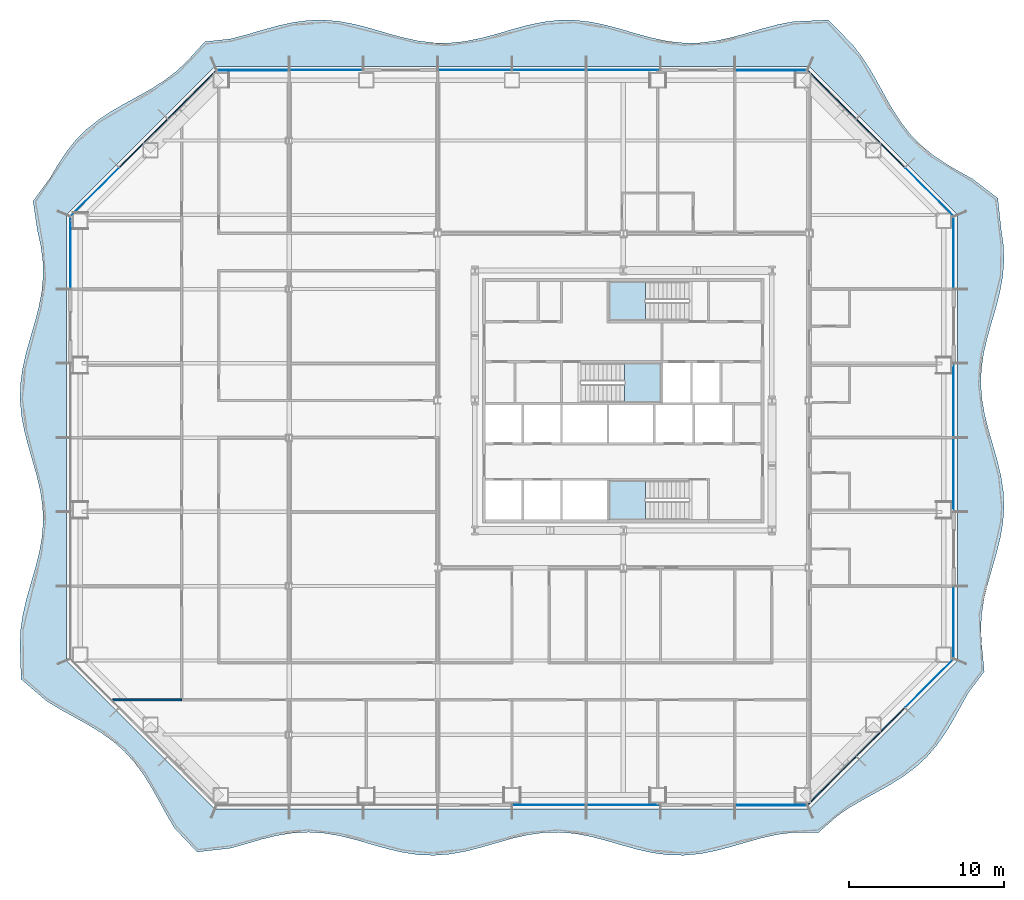
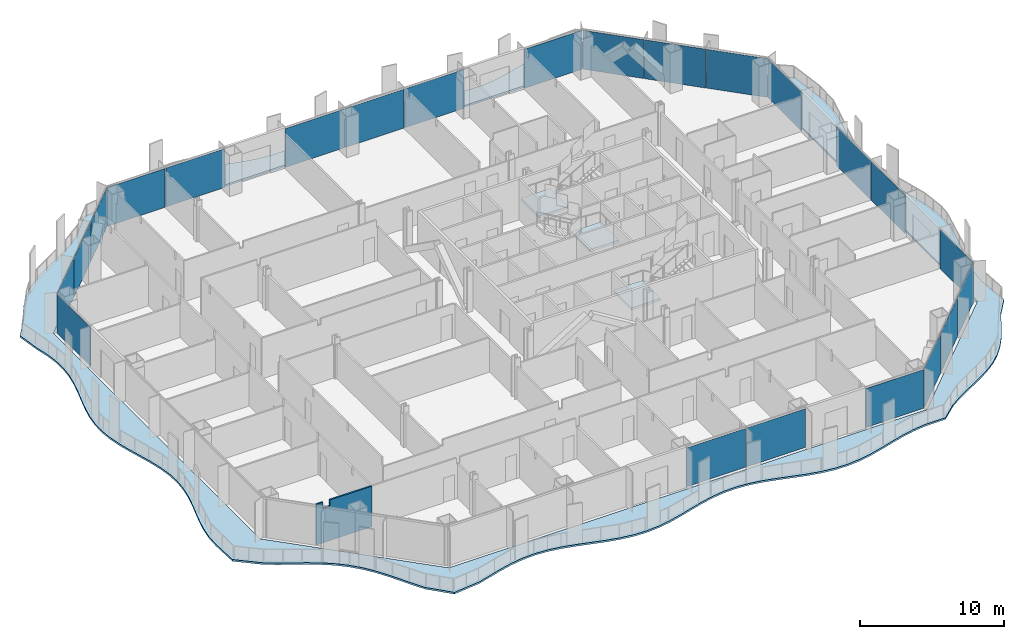
# One storey, part 5 of 21: 23 plates, 4 slabs, 1 wall, 10 elements without a shape of their own.
"""IFC4 building model written with IfcOpenShell, lengths in metres."""

from ifc_helpers import new_model, si_unit, direction, frame, origin, origin_2d, place, context, subcontext, project, spatial, polyline, rectangle, outline, extrude, material, layer, layer_set, type_object, element, aggregate, save


model = new_model("IFC4")

# Units and contexts
model_context = context("Model", 3, precision=1e-05, world=origin(), true_north=direction((0.0, 1.0)))
body_context = subcontext(model_context, "Body", "Model", "MODEL_VIEW")
ifc_project = project(units=[si_unit("LENGTHUNIT", "METRE"), si_unit("AREAUNIT", "SQUARE_METRE"), si_unit("VOLUMEUNIT", "CUBIC_METRE"), si_unit("PLANEANGLEUNIT", "RADIAN"), si_unit("MASSUNIT", "GRAM", prefix="KILO")], contexts=[model_context])

# Site, building, storey
site_placement = place(None, origin())
site = spatial("IfcSite", under=ifc_project, at=site_placement, CompositionType="ELEMENT")
building_placement = place(site_placement, origin())
building = spatial("IfcBuilding", under=site, at=building_placement, Name="Cairn Pilgrim Tower", CompositionType="ELEMENT")
storey_placement = place(building_placement, frame((0.0, 0.0, 54.60009765625)))
storey = spatial("IfcBuildingStorey", under=building, at=storey_placement, Name="L11", CompositionType="ELEMENT", Elevation=54.60009765625)

# Slab
ifc_material_1 = material(Name="Concrete C35/45", Category="concrete")
ifc_layer_1 = layer(ifc_material_1, 0.14990234375)
ifc_layer_set_1 = layer_set([ifc_layer_1], Name="BALCONY SLAB 150 CONCRETE C35/45")
slab_type_1 = type_object("IfcSlabType", Name="BALCONY SLAB 150 CONCRETE C35/45", PredefinedType="FLOOR", material=ifc_layer_set_1)
slab_1_placement = place(storey_placement, frame((0.0, 0.0, -0.150146484375)))
element("IfcSlab", 1, at=slab_1_placement, inside=storey, type_object=slab_type_1, Name="Balcony slab BS-1", PredefinedType="FLOOR", context=body_context, shape_type="SweptSolid", body=[
    extrude(outline(polyline([(-21.810791015625, -25.239501953125), (-20.3515625, -26.7802734375), (-18.189453125, -26.5341796875), (-17.178955078125, -26.243896484375), (-16.16845703125, -25.954345703125), (-15.157958984375, -25.7109375), (-14.1474609375, -25.55126953125), (-13.136962890625, -25.500244140625), (-12.126220703125, -25.565673828125), (-11.11572265625, -25.737548828125), (-10.105224609375, -25.989013671875), (-9.0947265625, -26.281005859375), (-8.084228515625, -26.568115234375), (-7.07373046875, -26.805908203125), (-6.063232421875, -26.957275390625), (-5.052734375, -26.998779296875), (-4.0419921875, -26.923828125), (-3.031494140625, -26.744140625), (-2.02099609375, -26.487548828125), (-1.010498046875, -26.1943359375), (0.0, -25.909423828125), (1.010498046875, -25.677734375), (2.02099609375, -25.534912109375), (3.031494140625, -25.503173828125), (4.0419921875, -25.58740234375), (5.052734375, -25.77490234375), (6.063232421875, -26.035888671875), (7.07373046875, -26.33056640625), (8.084228515625, -26.6123046875), (9.0947265625, -26.838134765625), (10.105224609375, -26.97216796875), (11.11572265625, -26.994140625), (12.126220703125, -26.900634765625), (13.136962890625, -26.705810546875), (14.1474609375, -26.440185546875), (15.157958984375, -26.14501953125), (16.16845703125, -25.865966796875), (17.178955078125, -25.64697265625), (18.189453125, -25.521484375), (19.8251953125, -25.50927734375), (21.021240234375, -24.449951171875), (21.840576171875, -23.897705078125), (22.7060546875, -23.391845703125), (23.591796875, -22.906005859375), (24.46923828125, -22.412109375), (25.31103515625, -21.882568359375), (26.094482421875, -21.294677734375), (26.805908203125, -20.634521484375), (27.441650390625, -19.898681640625), (28.008544921875, -19.09423828125), (28.523681640625, -18.238037109375), (29.011962890625, -17.354736328125), (29.5009765625, -16.472412109375), (30.524658203125, -15.1142578125), (30.360595703125, -13.406982421875), (30.300048828125, -12.413818359375), (30.352294921875, -11.420654296875), (30.509033203125, -10.427490234375), (30.747314453125, -9.4345703125), (31.03076171875, -8.44140625), (31.3173828125, -7.4482421875), (31.563720703125, -6.455078125), (31.73291015625, -5.462158203125), (31.799560546875, -4.468994140625), (31.753662109375, -3.475830078125), (31.60205078125, -2.482666015625), (31.367431640625, -1.48974609375), (31.08544921875, -0.49658203125), (30.7978515625, 0.49658203125), (30.54833984375, 1.48974609375), (30.3740234375, 2.482666015625), (30.30126953125, 3.475830078125), (30.341064453125, 4.468994140625), (30.487060546875, 5.462158203125), (30.7177734375, 6.455078125), (30.99853515625, 7.4482421875), (31.286865234375, 8.44140625), (31.53955078125, 9.4345703125), (31.71875, 10.427490234375), (31.797607421875, 11.420654296875), (31.76416015625, 12.413818359375), (31.62353515625, 13.406982421875), (31.396728515625, 15.4755859375), (29.758056640625, 16.7294921875), (28.872314453125, 17.21533203125), (28.0078125, 17.72216796875), (27.18994140625, 18.275634765625), (26.437744140625, 18.89501953125), (25.7607421875, 19.58935546875), (25.15771484375, 20.357666015625), (24.61669921875, 21.18798828125), (24.116943359375, 22.059814453125), (23.632080078125, 22.9462890625), (23.133056640625, 23.818603515625), (22.593017578125, 24.650146484375), (21.991455078125, 25.420166015625), (20.439697265625, 26.992919921875), (18.189453125, 26.89501953125), (17.178955078125, 26.697021484375), (16.16845703125, 26.429443359375), (15.157958984375, 26.134033203125), (14.1474609375, 25.856689453125), (13.136962890625, 25.640380859375), (12.126220703125, 25.51904296875), (11.11572265625, 25.510986328125), (10.105224609375, 25.617919921875), (9.0947265625, 25.8232421875), (8.084228515625, 26.0947265625), (7.07373046875, 26.390380859375), (6.063232421875, 26.6640625), (5.052734375, 26.87353515625), (4.0419921875, 26.986083984375), (3.031494140625, 26.984375), (2.02099609375, 26.868408203125), (1.010498046875, 26.65625), (0.0, 26.381103515625), (-1.010498046875, 26.08544921875), (-2.02099609375, 25.8154296875), (-3.031494140625, 25.613037109375), (-4.0419921875, 25.509521484375), (-5.052734375, 25.52099609375), (-6.063232421875, 25.64599609375), (-7.07373046875, 25.86474609375), (-8.084228515625, 26.1435546875), (-9.0947265625, 26.438720703125), (-10.105224609375, 26.70458984375), (-11.11572265625, 26.89990234375), (-12.126220703125, 26.994140625), (-13.136962890625, 26.97265625), (-14.1474609375, 26.8388671875), (-15.157958984375, 26.61376953125), (-16.16845703125, 26.33203125), (-17.178955078125, 26.037353515625), (-18.189453125, 25.77587890625), (-19.85791015625, 25.588134765625), (-20.949462890625, 24.378173828125), (-21.651611328125, 23.708740234375), (-22.4267578125, 23.112548828125), (-23.262451171875, 22.57666015625), (-24.136962890625, 22.079833984375), (-25.023193359375, 21.5947265625), (-25.892822265625, 21.0927734375), (-26.718994140625, 20.54736328125), (-27.481689453125, 19.93896484375), (-28.170166015625, 19.255859375), (-28.783935546875, 18.498046875), (-29.3330078125, 17.67578125), (-29.837158203125, 16.80859375), (-30.953369140625, 15.2919921875), (-30.677734375, 13.406982421875), (-30.458251953125, 12.413818359375), (-30.327392578125, 11.420654296875), (-30.30517578125, 10.427490234375), (-30.394775390625, 9.4345703125), (-30.5830078125, 8.44140625), (-30.841064453125, 7.4482421875), (-31.130615234375, 6.455078125), (-31.407958984375, 5.462158203125), (-31.631591796875, 4.468994140625), (-31.76806640625, 3.475830078125), (-31.79638671875, 2.482666015625), (-31.712890625, 1.48974609375), (-31.52978515625, 0.49658203125), (-31.2744140625, -0.49658203125), (-30.985595703125, -1.48974609375), (-30.706298828125, -2.482666015625), (-30.478759765625, -3.475830078125), (-30.3369140625, -4.468994140625), (-30.302001953125, -5.462158203125), (-30.379638671875, -6.455078125), (-30.557861328125, -7.4482421875), (-30.81005859375, -8.44140625), (-31.09814453125, -9.4345703125), (-31.379150390625, -10.427490234375), (-31.610595703125, -11.420654296875), (-31.758056640625, -12.413818359375), (-31.798828125, -13.406982421875), (-31.7275390625, -15.612548828125), (-30.0654296875, -17.036865234375), (-29.209228515625, -17.552001953125), (-28.325927734375, -18.0400390625), (-27.443603515625, -18.529296875), (-26.590576171875, -19.0478515625), (-25.791015625, -19.61962890625), (-25.06103515625, -20.260986328125), (-24.40673828125, -20.978271484375), (-23.82421875, -21.76708984375), (-23.298095703125, -22.6123046875), (-22.805908203125, -23.491455078125), (-22.319580078125, -24.376708984375), (-21.810791015625, -25.239501953125)]), holes=[polyline([(19.199951171875, -24.0), (-19.199951171875, -24.0), (-28.800048828125, -14.39990234375), (-28.800048828125, 14.39990234375), (-19.199951171875, 24.0), (19.199951171875, 24.0), (28.800048828125, 14.39990234375), (28.800048828125, -14.39990234375), (19.199951171875, -24.0)])]), origin(), (0.0, 0.0, 1.0), 0.150146484375),
])

# Curtain wall, plate
ifc_material_2 = material(Name="Aluminium alloy 6063-T6 bronze anodised with Bronze tinted laminated low-E glass 8+16+8.8", Category="aluminium")
curtain_wall_type_1 = type_object("IfcCurtainWallType", Name="CHAMFER CORNER CURTAIN WALL", PredefinedType="NOTDEFINED", material=ifc_material_2)
curtain_wall_1_placement = place(storey_placement, origin())
curtain_wall_1 = element("IfcCurtainWall", 2, at=curtain_wall_1_placement, inside=storey, type_object=curtain_wall_type_1, Name="Chamfer Corner Curtain Wall SE", PredefinedType="NOTDEFINED")
ifc_material_3 = material(Name="Bronze anodised aluminium spandrel panel with mineral wool insulation", Category="aluminium")
ifc_layer_2 = layer(ifc_material_3, 0.06005859375)
ifc_layer_set_2 = layer_set([ifc_layer_2], Name="SPANDREL PANEL 4386x3300")
plate_type_1 = type_object("IfcPlateType", Name="SPANDREL PANEL 4386x3300", PredefinedType="CURTAIN_PANEL", material=ifc_layer_set_2)
plate_1_placement = place(storey_placement, frame((20.675537109375, -22.1708984375, 0.0), z_axis=(0.0, 0.0, 1.0), x_axis=(0.707106781187, 0.707106781187, 0.0)))
plate_1 = element("IfcPlate", 3, at=plate_1_placement, type_object=plate_type_1, Name="Spandrel Panel SE1-1", PredefinedType="CURTAIN_PANEL", context=body_context, shape_type="SweptSolid", body=[
    extrude(rectangle(XDim=4.386474609375, YDim=0.06005859375, at=origin_2d()), origin(), (0.0, 0.0, 1.0), 3.300048828125),
])

curtain_wall_2_placement = place(storey_placement, origin())
curtain_wall_2 = element("IfcCurtainWall", 4, at=curtain_wall_2_placement, inside=storey, type_object=curtain_wall_type_1, Name="Chamfer Corner Curtain Wall NE", PredefinedType="NOTDEFINED")
plate_2_placement = place(storey_placement, frame((20.675537109375, 22.1708984375, 0.0), z_axis=(0.0, 0.0, 1.0), x_axis=(-0.707106781187, 0.707106781187, 0.0)))
plate_2 = element("IfcPlate", 5, at=plate_2_placement, type_object=plate_type_1, Name="Spandrel Panel NE3-1", PredefinedType="CURTAIN_PANEL", context=body_context, shape_type="SweptSolid", body=[
    extrude(rectangle(XDim=4.386474609375, YDim=0.06005859375, at=origin_2d()), origin(), (0.0, 0.0, 1.0), 3.300048828125),
])

curtain_wall_3_placement = place(storey_placement, origin())
curtain_wall_3 = element("IfcCurtainWall", 6, at=curtain_wall_3_placement, inside=storey, type_object=curtain_wall_type_1, Name="Chamfer Corner Curtain Wall NW", PredefinedType="NOTDEFINED")
plate_3_placement = place(storey_placement, frame((-20.675537109375, 22.1708984375, 0.0), z_axis=(0.0, 0.0, 1.0), x_axis=(-0.707106781187, -0.707106781187, 0.0)))
plate_3 = element("IfcPlate", 7, at=plate_3_placement, type_object=plate_type_1, Name="Spandrel Panel NW1-1", PredefinedType="CURTAIN_PANEL", context=body_context, shape_type="SweptSolid", body=[
    extrude(rectangle(XDim=4.386474609375, YDim=0.06005859375, at=origin_2d()), origin(), (0.0, 0.0, 1.0), 3.300048828125),
])

# Plate
ifc_layer_3 = layer(ifc_material_3, 0.06005859375)
ifc_layer_set_3 = layer_set([ifc_layer_3], Name="SPANDREL PANEL 4396x3300")
plate_type_2 = type_object("IfcPlateType", Name="SPANDREL PANEL 4396x3300", PredefinedType="CURTAIN_PANEL", material=ifc_layer_set_3)
plate_4_placement = place(storey_placement, frame((23.8232421875, -19.023193359375, 0.0), z_axis=(0.0, 0.0, 1.0), x_axis=(0.707106781187, 0.707106781187, 0.0)))
plate_4 = element("IfcPlate", 8, at=plate_4_placement, type_object=plate_type_2, Name="Spandrel Panel SE2-1", PredefinedType="CURTAIN_PANEL", context=body_context, shape_type="SweptSolid", body=[
    extrude(rectangle(XDim=4.396484375, YDim=0.06005859375, at=origin_2d()), origin(), (0.0, 0.0, 1.0), 3.300048828125),
])

plate_5_placement = place(storey_placement, frame((23.8232421875, 19.023193359375, 0.0), z_axis=(0.0, 0.0, 1.0), x_axis=(-0.707106781187, 0.707106781187, 0.0)))
plate_5 = element("IfcPlate", 9, at=plate_5_placement, type_object=plate_type_2, Name="Spandrel Panel NE2-1", PredefinedType="CURTAIN_PANEL", context=body_context, shape_type="SweptSolid", body=[
    extrude(rectangle(XDim=4.396484375, YDim=0.06005859375, at=origin_2d()), origin(), (0.0, 0.0, 1.0), 3.300048828125),
])

plate_6_placement = place(storey_placement, frame((-23.8232421875, 19.023193359375, 0.0), z_axis=(0.0, 0.0, 1.0), x_axis=(-0.707106781187, -0.707106781187, 0.0)))
plate_6 = element("IfcPlate", 10, at=plate_6_placement, type_object=plate_type_2, Name="Spandrel Panel NW2-1", PredefinedType="CURTAIN_PANEL", context=body_context, shape_type="SweptSolid", body=[
    extrude(rectangle(XDim=4.396484375, YDim=0.06005859375, at=origin_2d()), origin(), (0.0, 0.0, 1.0), 3.300048828125),
])

# Curtain wall, plate
curtain_wall_type_2 = type_object("IfcCurtainWallType", Name="TOWER STICK CURTAIN WALL NS", PredefinedType="NOTDEFINED", material=ifc_material_2)
curtain_wall_4_placement = place(storey_placement, origin())
curtain_wall_4 = element("IfcCurtainWall", 11, at=curtain_wall_4_placement, inside=storey, type_object=curtain_wall_type_2, Name="Tower Stick Curtain Wall Ns S", PredefinedType="NOTDEFINED")
ifc_layer_4 = layer(ifc_material_3, 0.06005859375)
ifc_layer_set_4 = layer_set([ifc_layer_4], Name="SPANDREL PANEL 4626x3300")
plate_type_3 = type_object("IfcPlateType", Name="SPANDREL PANEL 4626x3300", PredefinedType="CURTAIN_PANEL", material=ifc_layer_set_4)
plate_7_placement = place(storey_placement, frame((16.7431640625, -23.75, 0.0), z_axis=(0.0, 0.0, 1.0), x_axis=(1.0, 0.0, 0.0)))
plate_7 = element("IfcPlate", 12, at=plate_7_placement, type_object=plate_type_3, Name="Spandrel Panel S8-1", PredefinedType="CURTAIN_PANEL", context=body_context, shape_type="SweptSolid", body=[
    extrude(rectangle(XDim=4.62646484375, YDim=0.06005859375, at=origin_2d()), origin(), (0.0, 0.0, 1.0), 3.300048828125),
])

# Curtain wall, plates
curtain_wall_5_placement = place(storey_placement, origin())
curtain_wall_5 = element("IfcCurtainWall", 13, at=curtain_wall_5_placement, inside=storey, type_object=curtain_wall_type_2, Name="Tower Stick Curtain Wall Ns N", PredefinedType="NOTDEFINED")
plate_8_placement = place(storey_placement, frame((16.7431640625, 23.75, 0.0), z_axis=(0.0, 0.0, 1.0), x_axis=(-1.0, 0.0, 0.0)))
plate_8 = element("IfcPlate", 14, at=plate_8_placement, type_object=plate_type_3, Name="Spandrel Panel N1-1", PredefinedType="CURTAIN_PANEL", context=body_context, shape_type="SweptSolid", body=[
    extrude(rectangle(XDim=4.62646484375, YDim=0.06005859375, at=origin_2d()), origin(), (0.0, 0.0, 1.0), 3.300048828125),
])
plate_9_placement = place(storey_placement, frame((-16.7431640625, 23.75, 0.0), z_axis=(0.0, 0.0, 1.0), x_axis=(-1.0, 0.0, 0.0)))
plate_9 = element("IfcPlate", 15, at=plate_9_placement, type_object=plate_type_3, Name="Spandrel Panel N8-1", PredefinedType="CURTAIN_PANEL", context=body_context, shape_type="SweptSolid", body=[
    extrude(rectangle(XDim=4.62646484375, YDim=0.06005859375, at=origin_2d()), origin(), (0.0, 0.0, 1.0), 3.300048828125),
])

# Stair, slab
ifc_material_4 = material(Name="Concrete C32/40", Category="concrete")
stair_type = type_object("IfcStairType", Name="EXIT STAIR 1200", PredefinedType="HALF_TURN_STAIR", material=ifc_material_4)
stair_1_placement = place(storey_placement, origin())
stair_1 = element("IfcStair", 16, at=stair_1_placement, inside=storey, type_object=stair_type, Name="L11 Exit Stair A", PredefinedType="HALF_TURN_STAIR")
ifc_layer_5 = layer(ifc_material_4, 0.199951171875)
ifc_layer_set_5 = layer_set([ifc_layer_5], Name="STAIR LANDING 200")
slab_type_2 = type_object("IfcSlabType", Name="STAIR LANDING 200", PredefinedType="LANDING", material=ifc_layer_set_5)
slab_2_placement = place(storey_placement, frame((0.0, 0.0, 1.599853515625)))
slab_2 = element("IfcSlab", 17, at=slab_2_placement, type_object=slab_type_2, Name="ST-A landing 1", PredefinedType="LANDING", context=body_context, shape_type="SweptSolid", body=[
    extrude(outline(polyline([(8.625, -2.77490234375), (6.27490234375, -2.77490234375), (6.27490234375, -5.300048828125), (8.625, -5.300048828125), (8.625, -2.77490234375)])), origin(), (0.0, 0.0, 1.0), 0.199951171875),
])
aggregate(stair_1, [slab_2])

stair_2_placement = place(storey_placement, origin())
stair_2 = element("IfcStair", 18, at=stair_2_placement, inside=storey, type_object=stair_type, Name="L11 Exit Stair B", PredefinedType="HALF_TURN_STAIR")
slab_3_placement = place(storey_placement, frame((0.0, 0.0, 1.599853515625)))
slab_3 = element("IfcSlab", 19, at=slab_3_placement, type_object=slab_type_2, Name="ST-B landing 1", PredefinedType="LANDING", context=body_context, shape_type="SweptSolid", body=[
    extrude(outline(polyline([(7.27490234375, 2.27490234375), (9.625, 2.27490234375), (9.625, 4.824951171875), (7.27490234375, 4.824951171875), (7.27490234375, 2.27490234375)])), origin(), (0.0, 0.0, 1.0), 0.199951171875),
])
aggregate(stair_2, [slab_3])

stair_3_placement = place(storey_placement, origin())
stair_3 = element("IfcStair", 20, at=stair_3_placement, inside=storey, type_object=stair_type, Name="L11 Exit Stair C", PredefinedType="HALF_TURN_STAIR")
slab_4_placement = place(storey_placement, frame((0.0, 0.0, 1.599853515625)))
slab_4 = element("IfcSlab", 21, at=slab_4_placement, type_object=slab_type_2, Name="ST-C landing 1", PredefinedType="LANDING", context=body_context, shape_type="SweptSolid", body=[
    extrude(outline(polyline([(8.625, 10.10009765625), (6.27490234375, 10.10009765625), (6.27490234375, 7.574951171875), (8.625, 7.574951171875), (8.625, 10.10009765625)])), origin(), (0.0, 0.0, 1.0), 0.199951171875),
])
aggregate(stair_3, [slab_4])

# Plate
ifc_material_5 = material(Name="Bronze tinted laminated low-E glass 8+16+8.8", Category="glass")
ifc_layer_6 = layer(ifc_material_5, 0.033935546875)
ifc_layer_set_6 = layer_set([ifc_layer_6], Name="VISION GLAZING 4386x3300")
plate_type_4 = type_object("IfcPlateType", Name="VISION GLAZING 4386x3300", PredefinedType="CURTAIN_PANEL", material=ifc_layer_set_6)
plate_10_placement = place(storey_placement, frame((26.970947265625, -15.87548828125, 0.0), z_axis=(0.0, 0.0, 1.0), x_axis=(0.707106781187, 0.707106781187, 0.0)))
plate_10 = element("IfcPlate", 22, at=plate_10_placement, type_object=plate_type_4, Name="Vision Glazing SE3-1", PredefinedType="CURTAIN_PANEL", context=body_context, shape_type="SweptSolid", body=[
    extrude(rectangle(XDim=4.386474609375, YDim=0.033935546875, at=origin_2d()), origin(), (0.0, 0.0, 1.0), 3.300048828125),
])

aggregate(curtain_wall_1, [plate_1, plate_4, plate_10])

plate_11_placement = place(storey_placement, frame((26.970947265625, 15.87548828125, 0.0), z_axis=(0.0, 0.0, 1.0), x_axis=(-0.707106781187, 0.707106781187, 0.0)))
plate_11 = element("IfcPlate", 23, at=plate_11_placement, type_object=plate_type_4, Name="Vision Glazing NE1-1", PredefinedType="CURTAIN_PANEL", context=body_context, shape_type="SweptSolid", body=[
    extrude(rectangle(XDim=4.386474609375, YDim=0.033935546875, at=origin_2d()), origin(), (0.0, 0.0, 1.0), 3.300048828125),
])

aggregate(curtain_wall_2, [plate_11, plate_5, plate_2])

plate_12_placement = place(storey_placement, frame((-26.970947265625, 15.87548828125, 0.0), z_axis=(0.0, 0.0, 1.0), x_axis=(-0.707106781187, -0.707106781187, 0.0)))
plate_12 = element("IfcPlate", 24, at=plate_12_placement, type_object=plate_type_4, Name="Vision Glazing NW3-1", PredefinedType="CURTAIN_PANEL", context=body_context, shape_type="SweptSolid", body=[
    extrude(rectangle(XDim=4.386474609375, YDim=0.033935546875, at=origin_2d()), origin(), (0.0, 0.0, 1.0), 3.300048828125),
])

aggregate(curtain_wall_3, [plate_3, plate_6, plate_12])

# Curtain wall, plates
curtain_wall_type_3 = type_object("IfcCurtainWallType", Name="TOWER STICK CURTAIN WALL EW", PredefinedType="NOTDEFINED", material=ifc_material_2)
curtain_wall_6_placement = place(storey_placement, origin())
curtain_wall_6 = element("IfcCurtainWall", 25, at=curtain_wall_6_placement, inside=storey, type_object=curtain_wall_type_3, Name="Tower Stick Curtain Wall Ew E", PredefinedType="NOTDEFINED")
ifc_layer_7 = layer(ifc_material_5, 0.033935546875)
ifc_layer_set_7 = layer_set([ifc_layer_7], Name="VISION GLAZING 4626x3300")
plate_type_5 = type_object("IfcPlateType", Name="VISION GLAZING 4626x3300", PredefinedType="CURTAIN_PANEL", material=ifc_layer_set_7)
plate_13_placement = place(storey_placement, frame((28.550048828125, -11.943115234375, 0.0), z_axis=(0.0, 0.0, 1.0), x_axis=(0.0, 1.0, 0.0)))
plate_13 = element("IfcPlate", 26, at=plate_13_placement, type_object=plate_type_5, Name="Vision Glazing E1-1", PredefinedType="CURTAIN_PANEL", context=body_context, shape_type="SweptSolid", body=[
    extrude(rectangle(XDim=4.62646484375, YDim=0.033935546875, at=origin_2d()), origin(), (0.0, 0.0, 1.0), 3.300048828125),
])
plate_14_placement = place(storey_placement, frame((28.550048828125, 11.943115234375, 0.0), z_axis=(0.0, 0.0, 1.0), x_axis=(0.0, 1.0, 0.0)))
plate_14 = element("IfcPlate", 27, at=plate_14_placement, type_object=plate_type_5, Name="Vision Glazing E6-1", PredefinedType="CURTAIN_PANEL", context=body_context, shape_type="SweptSolid", body=[
    extrude(rectangle(XDim=4.62646484375, YDim=0.033935546875, at=origin_2d()), origin(), (0.0, 0.0, 1.0), 3.300048828125),
])

# Curtain wall, plate
curtain_wall_7_placement = place(storey_placement, origin())
curtain_wall_7 = element("IfcCurtainWall", 28, at=curtain_wall_7_placement, inside=storey, type_object=curtain_wall_type_3, Name="Tower Stick Curtain Wall Ew W", PredefinedType="NOTDEFINED")
plate_15_placement = place(storey_placement, frame((-28.550048828125, 11.943115234375, 0.0), z_axis=(0.0, 0.0, 1.0), x_axis=(0.0, -1.0, 0.0)))
plate_15 = element("IfcPlate", 29, at=plate_15_placement, type_object=plate_type_5, Name="Vision Glazing W1-1", PredefinedType="CURTAIN_PANEL", context=body_context, shape_type="SweptSolid", body=[
    extrude(rectangle(XDim=4.62646484375, YDim=0.033935546875, at=origin_2d()), origin(), (0.0, 0.0, 1.0), 3.300048828125),
])
aggregate(curtain_wall_7, [plate_15])

# Plate
ifc_layer_8 = layer(ifc_material_5, 0.033935546875)
ifc_layer_set_8 = layer_set([ifc_layer_8], Name="VISION GLAZING 4740x3300")
plate_type_6 = type_object("IfcPlateType", Name="VISION GLAZING 4740x3300", PredefinedType="CURTAIN_PANEL", material=ifc_layer_set_8)
plate_16_placement = place(storey_placement, frame((2.39990234375, -23.75, 0.0), z_axis=(0.0, 0.0, 1.0), x_axis=(1.0, 0.0, 0.0)))
plate_16 = element("IfcPlate", 30, at=plate_16_placement, type_object=plate_type_6, Name="Vision Glazing S5-1", PredefinedType="CURTAIN_PANEL", context=body_context, shape_type="SweptSolid", body=[
    extrude(rectangle(XDim=4.739990234375, YDim=0.033935546875, at=origin_2d()), origin(), (0.0, 0.0, 1.0), 3.300048828125),
])

plate_17_placement = place(storey_placement, frame((7.199951171875, -23.75, 0.0), z_axis=(0.0, 0.0, 1.0), x_axis=(1.0, 0.0, 0.0)))
plate_17 = element("IfcPlate", 31, at=plate_17_placement, type_object=plate_type_6, Name="Vision Glazing S6-1", PredefinedType="CURTAIN_PANEL", context=body_context, shape_type="SweptSolid", body=[
    extrude(rectangle(XDim=4.739990234375, YDim=0.033935546875, at=origin_2d()), origin(), (0.0, 0.0, 1.0), 3.300048828125),
])

aggregate(curtain_wall_4, [plate_16, plate_17, plate_7])

plate_18_placement = place(storey_placement, frame((28.550048828125, -2.39990234375, 0.0), z_axis=(0.0, 0.0, 1.0), x_axis=(0.0, 1.0, 0.0)))
plate_18 = element("IfcPlate", 32, at=plate_18_placement, type_object=plate_type_6, Name="Vision Glazing E3-1", PredefinedType="CURTAIN_PANEL", context=body_context, shape_type="SweptSolid", body=[
    extrude(rectangle(XDim=4.739990234375, YDim=0.033935546875, at=origin_2d()), origin(), (0.0, 0.0, 1.0), 3.300048828125),
])

plate_19_placement = place(storey_placement, frame((28.550048828125, 2.39990234375, 0.0), z_axis=(0.0, 0.0, 1.0), x_axis=(0.0, 1.0, 0.0)))
plate_19 = element("IfcPlate", 33, at=plate_19_placement, type_object=plate_type_6, Name="Vision Glazing E4-1", PredefinedType="CURTAIN_PANEL", context=body_context, shape_type="SweptSolid", body=[
    extrude(rectangle(XDim=4.739990234375, YDim=0.033935546875, at=origin_2d()), origin(), (0.0, 0.0, 1.0), 3.300048828125),
])

aggregate(curtain_wall_6, [plate_13, plate_18, plate_19, plate_14])

plate_20_placement = place(storey_placement, frame((7.199951171875, 23.75, 0.0), z_axis=(0.0, 0.0, 1.0), x_axis=(-1.0, 0.0, 0.0)))
plate_20 = element("IfcPlate", 34, at=plate_20_placement, type_object=plate_type_6, Name="Vision Glazing N3-1", PredefinedType="CURTAIN_PANEL", context=body_context, shape_type="SweptSolid", body=[
    extrude(rectangle(XDim=4.739990234375, YDim=0.033935546875, at=origin_2d()), origin(), (0.0, 0.0, 1.0), 3.300048828125),
])

plate_21_placement = place(storey_placement, frame((2.39990234375, 23.75, 0.0), z_axis=(0.0, 0.0, 1.0), x_axis=(-1.0, 0.0, 0.0)))
plate_21 = element("IfcPlate", 35, at=plate_21_placement, type_object=plate_type_6, Name="Vision Glazing N4-1", PredefinedType="CURTAIN_PANEL", context=body_context, shape_type="SweptSolid", body=[
    extrude(rectangle(XDim=4.739990234375, YDim=0.033935546875, at=origin_2d()), origin(), (0.0, 0.0, 1.0), 3.300048828125),
])

plate_22_placement = place(storey_placement, frame((-2.39990234375, 23.75, 0.0), z_axis=(0.0, 0.0, 1.0), x_axis=(-1.0, 0.0, 0.0)))
plate_22 = element("IfcPlate", 36, at=plate_22_placement, type_object=plate_type_6, Name="Vision Glazing N5-1", PredefinedType="CURTAIN_PANEL", context=body_context, shape_type="SweptSolid", body=[
    extrude(rectangle(XDim=4.739990234375, YDim=0.033935546875, at=origin_2d()), origin(), (0.0, 0.0, 1.0), 3.300048828125),
])

plate_23_placement = place(storey_placement, frame((-12.0, 23.75, 0.0), z_axis=(0.0, 0.0, 1.0), x_axis=(-1.0, 0.0, 0.0)))
plate_23 = element("IfcPlate", 37, at=plate_23_placement, type_object=plate_type_6, Name="Vision Glazing N7-1", PredefinedType="CURTAIN_PANEL", context=body_context, shape_type="SweptSolid", body=[
    extrude(rectangle(XDim=4.739990234375, YDim=0.033935546875, at=origin_2d()), origin(), (0.0, 0.0, 1.0), 3.300048828125),
])

aggregate(curtain_wall_5, [plate_8, plate_20, plate_21, plate_22, plate_23, plate_9])

# Wall
ifc_material_6 = material(Name="Gypsum partition")
ifc_layer_9 = layer(ifc_material_6, 0.125)
ifc_layer_set_9 = layer_set([ifc_layer_9], Name="PARTITION 125 DRYWALL EI 60")
wall_type = type_object("IfcWallType", Name="PARTITION 125 DRYWALL EI 60", PredefinedType="PARTITIONING", material=ifc_layer_set_9)
wall_placement = place(storey_placement, frame((-25.806884765625, -16.949951171875, 0.0), z_axis=(0.0, 0.0, 1.0), x_axis=(1.0, 0.0, 0.0)))
element("IfcWall", 38, at=wall_placement, inside=storey, type_object=wall_type, Name="PARTITION W012", PredefinedType="PARTITIONING", context=body_context, shape_type="SweptSolid", body=[
    extrude(outline(polyline([(0.0, 0.0), (4.456787109375, 0.0), (4.45703125, 3.449951171875), (1.1044921875, 3.449951171875), (1.102294921875, 2.929931640625), (0.55517578125, 2.929931640625), (0.552978515625, 3.449951171875), (0.0, 3.449951171875), (0.0, 0.0)])), frame((0.0, 0.0625, 0.0), z_axis=(0.0, -1.0, 0.0), x_axis=(1.0, 0.0, 0.0)), (0.0, 0.0, 1.0), 0.125),
])

save(model, "model.ifc")
